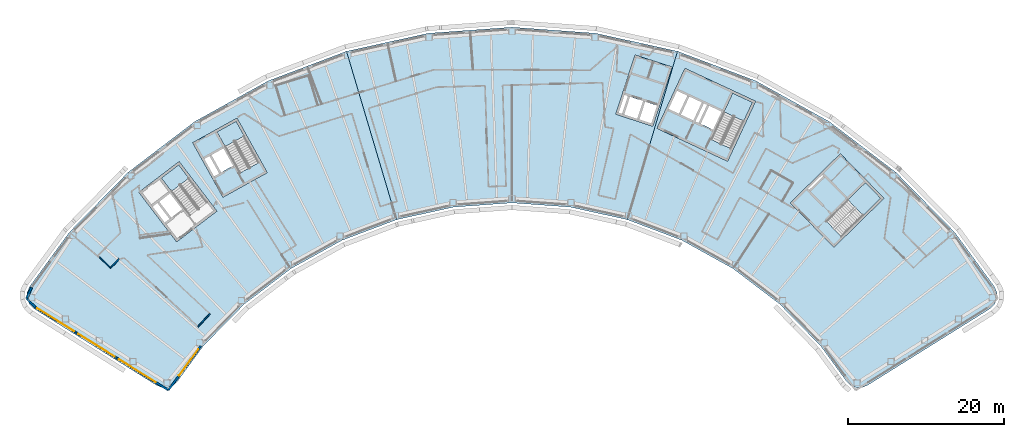
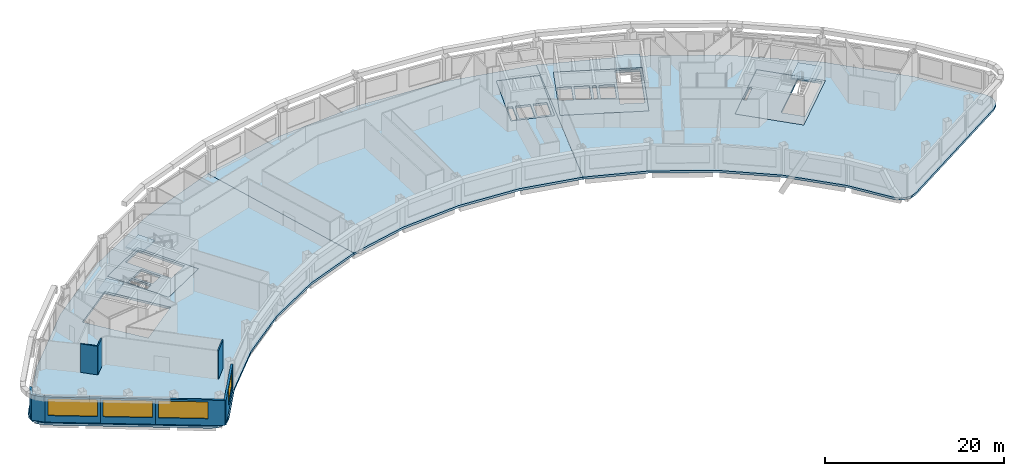
# One storey, part 4 of 13: 11 slabs, 9 walls, 4 windows, 4 openings, 4 elements without a shape of their own.
"""IFC4 building model written with IfcOpenShell, lengths in metres."""

from ifc_helpers import new_model, si_unit, direction, frame, frame_2d, origin, place, context, subcontext, project, spatial, polyline, rectangle, outline, extrude, material, layer, layer_set, type_object, element, fill, aggregate, save


model = new_model("IFC4")

# Units and contexts
model_context = context("Model", 3, precision=1e-05, world=origin(), true_north=direction((0.0, 1.0)))
body_context = subcontext(model_context, "Body", "Model", "MODEL_VIEW")
ifc_project = project(units=[si_unit("LENGTHUNIT", "METRE"), si_unit("AREAUNIT", "SQUARE_METRE"), si_unit("VOLUMEUNIT", "CUBIC_METRE"), si_unit("PLANEANGLEUNIT", "RADIAN"), si_unit("MASSUNIT", "GRAM", prefix="KILO")], contexts=[model_context])

# Site, building, storey
site_placement = place(None, origin())
site = spatial("IfcSite", under=ifc_project, at=site_placement, CompositionType="ELEMENT")
building_placement = place(site_placement, origin())
building = spatial("IfcBuilding", under=site, at=building_placement, Name="Tuul Gate Civic Tower", CompositionType="ELEMENT")
storey_placement = place(building_placement, frame((0.0, 0.0, 290.0)))
storey = spatial("IfcBuildingStorey", under=building, at=storey_placement, Name="Level 65", CompositionType="ELEMENT", Elevation=290.0)

# Slabs
ifc_material_1 = material(Name="Concrete C40/50", Category="concrete")
ifc_layer_1 = layer(ifc_material_1, 0.300048828125)
ifc_layer_set_1 = layer_set([ifc_layer_1], Name="Concrete C40/50")
slab_type_1 = type_object("IfcSlabType", Name="Core floor slab 300", PredefinedType="FLOOR", material=ifc_layer_set_1)
slab_1_placement = place(storey_placement, frame((0.0, 0.0, -0.300048828125)))
element("IfcSlab", 1, at=slab_1_placement, inside=storey, type_object=slab_type_1, Name="FLOOR SLAB", PredefinedType="FLOOR", context=body_context, shape_type="SweptSolid", body=[
    extrude(outline(polyline([(-24.638916015625, -8.846923828125), (-28.51708984375, -1.849853515625), (-34.2021484375, -5.0009765625), (-30.32421875, -11.998046875), (-24.638916015625, -8.846923828125)]), holes=[polyline([(-29.0185546875, -7.958740234375), (-30.254638671875, -5.728515625), (-31.785400390625, -6.576904296875), (-30.54931640625, -8.80712890625), (-29.0185546875, -7.958740234375)]), polyline([(-30.8115234375, -8.95263671875), (-32.047607421875, -6.72216796875), (-32.8349609375, -7.158447265625), (-31.5986328125, -9.388916015625), (-30.8115234375, -8.95263671875)]), polyline([(-25.702392578125, -7.548828125), (-28.14990234375, -8.905517578125), (-31.08203125, -3.615234375), (-28.63427734375, -2.2587890625), (-25.702392578125, -7.548828125)])]), origin(), (0.0, 0.0, 1.0), 0.300048828125),
])
slab_2_placement = place(storey_placement, frame((0.0, 0.0, -0.300048828125)))
element("IfcSlab", 2, at=slab_2_placement, inside=storey, type_object=slab_type_1, Name="FLOOR SLAB", PredefinedType="FLOOR", context=body_context, shape_type="SweptSolid", body=[
    extrude(outline(polyline([(48.117919921875, -18.43310546875), (54.545166015625, -12.1328125), (48.945068359375, -6.419921875), (42.517822265625, -12.719970703125), (48.117919921875, -18.43310546875)]), holes=[polyline([(44.93896484375, -11.046875), (46.760009765625, -9.261962890625), (46.514892578125, -9.011962890625), (44.69384765625, -10.797119140625), (44.93896484375, -11.046875)]), polyline([(49.086181640625, -17.062744140625), (47.12744140625, -15.064208984375), (52.160888671875, -10.130126953125), (54.11962890625, -12.128662109375), (49.086181640625, -17.062744140625)])]), origin(), (0.0, 0.0, 1.0), 0.300048828125),
])
slab_3_placement = place(storey_placement, frame((0.0, 0.0, -0.300048828125)))
element("IfcSlab", 3, at=slab_3_placement, inside=storey, type_object=slab_type_1, Name="FLOOR SLAB", PredefinedType="FLOOR", context=body_context, shape_type="SweptSolid", body=[
    extrude(outline(polyline([(34.465087890625, -7.385986328125), (38.056884765625, 0.31787109375), (28.993896484375, 4.543701171875), (25.40185546875, -3.159912109375), (34.465087890625, -7.385986328125)]), holes=[polyline([(32.60888671875, -3.32080078125), (33.6865234375, -1.009765625), (32.1005859375, -0.27001953125), (31.02294921875, -2.581298828125), (32.60888671875, -3.32080078125)]), polyline([(30.0712890625, -2.137451171875), (31.14892578125, 0.173583984375), (29.562744140625, 0.9130859375), (28.4853515625, -1.39794921875), (30.0712890625, -2.137451171875)]), polyline([(30.751220703125, -2.454345703125), (31.82861328125, -0.143310546875), (31.4208984375, 0.046875), (30.34326171875, -2.264404296875), (30.751220703125, -2.454345703125)]), polyline([(28.21337890625, -1.27099609375), (29.291015625, 1.0400390625), (27.8408203125, 1.71630859375), (26.76318359375, -0.594970703125), (28.21337890625, -1.27099609375)]), polyline([(34.889892578125, -5.7626953125), (32.353759765625, -4.580078125), (35.120849609375, 1.354736328125), (37.6572265625, 0.17236328125), (34.889892578125, -5.7626953125)])]), origin(), (0.0, 0.0, 1.0), 0.300048828125),
])
ifc_material_2 = material(Name="Concrete C40/50", Category="concrete")
ifc_layer_2 = layer(ifc_material_2, 0.300048828125)
ifc_layer_set_2 = layer_set([ifc_layer_2], Name="Concrete C40/50")
slab_type_2 = type_object("IfcSlabType", Name="Core floor slab 300 non-bearing", PredefinedType="FLOOR", material=ifc_layer_set_2)
slab_4_placement = place(storey_placement, frame((0.0, 0.0, -0.300048828125)))
element("IfcSlab", 4, at=slab_4_placement, inside=storey, type_object=slab_type_2, Name="FLOOR SLAB", PredefinedType="FLOOR", context=body_context, shape_type="SweptSolid", body=[
    extrude(outline(polyline([(24.864990234375, -2.888916015625), (27.337890625, 4.71923828125), (22.58251953125, 6.264404296875), (20.109619140625, -1.343994140625), (24.864990234375, -2.888916015625)]), holes=[polyline([(24.67236328125, -2.510986328125), (25.414306640625, -0.228515625), (23.892578125, 0.265869140625), (23.150634765625, -2.0166015625), (24.67236328125, -2.510986328125)]), polyline([(22.865478515625, -1.923828125), (23.607177734375, 0.358642578125), (21.94287109375, 0.8994140625), (21.201171875, -1.383056640625), (22.865478515625, -1.923828125)]), polyline([(20.869384765625, -1.43310546875), (21.65771484375, 0.9921875), (21.0869140625, 1.177490234375), (20.298583984375, -1.24755859375), (20.869384765625, -1.43310546875)])]), origin(), (0.0, 0.0, 1.0), 0.300048828125),
])

# Stair, slab
ifc_material_3 = material(Name="Concrete C40/50", Category="concrete")
stair_type = type_object("IfcStairType", Name="Exit stair", PredefinedType="HALF_TURN_STAIR", material=ifc_material_3)
stair_1_placement = place(storey_placement, origin())
stair_1 = element("IfcStair", 5, at=stair_1_placement, inside=storey, type_object=stair_type, Name="Level 65 ST-1", PredefinedType="HALF_TURN_STAIR")
ifc_material_4 = material(Name="Concrete C40/50", Category="concrete")
ifc_layer_3 = layer(ifc_material_4, 0.199951171875)
ifc_layer_set_3 = layer_set([ifc_layer_3], Name="Concrete C40/50")
slab_type_3 = type_object("IfcSlabType", Name="Exit stair landing", PredefinedType="LANDING", material=ifc_layer_set_3)
slab_5_placement = place(storey_placement, frame((0.0, 0.0, 1.89990234375)))
slab_5 = element("IfcSlab", 6, at=slab_5_placement, type_object=slab_type_3, Name="ST-1 landing 1", PredefinedType="LANDING", context=body_context, shape_type="SweptSolid", body=[
    extrude(outline(polyline([(-34.699462890625, -9.554931640625), (-36.9287109375, -11.252197265625), (-38.23193359375, -9.540283203125), (-36.0029296875, -7.843017578125), (-34.699462890625, -9.554931640625)])), origin(), (0.0, 0.0, 1.0), 0.2001953125),
])
aggregate(stair_1, [slab_5])

stair_2_placement = place(storey_placement, origin())
stair_2 = element("IfcStair", 7, at=stair_2_placement, inside=storey, type_object=stair_type, Name="Level 65 ST-2", PredefinedType="HALF_TURN_STAIR")
slab_6_placement = place(storey_placement, frame((0.0, 0.0, 1.89990234375)))
slab_6 = element("IfcSlab", 8, at=slab_6_placement, type_object=slab_type_3, Name="ST-2 landing 1", PredefinedType="LANDING", context=body_context, shape_type="SweptSolid", body=[
    extrude(outline(polyline([(-27.5908203125, -4.138427734375), (-30.041015625, -5.49658203125), (-31.084228515625, -3.61474609375), (-28.6337890625, -2.256591796875), (-27.5908203125, -4.138427734375)])), origin(), (0.0, 0.0, 1.0), 0.2001953125),
])
aggregate(stair_2, [slab_6])

stair_3_placement = place(storey_placement, origin())
stair_3 = element("IfcStair", 9, at=stair_3_placement, inside=storey, type_object=stair_type, Name="Level 65 ST-3", PredefinedType="HALF_TURN_STAIR")
slab_7_placement = place(storey_placement, frame((0.0, 0.0, 1.89990234375)))
slab_7 = element("IfcSlab", 10, at=slab_7_placement, type_object=slab_type_3, Name="ST-3 landing 1", PredefinedType="LANDING", context=body_context, shape_type="SweptSolid", body=[
    extrude(outline(polyline([(51.871337890625, -14.3349609375), (49.91015625, -12.334228515625), (52.160888671875, -10.1279296875), (54.1220703125, -12.128662109375), (51.871337890625, -14.3349609375)])), origin(), (0.0, 0.0, 1.0), 0.2001953125),
])
aggregate(stair_3, [slab_7])

stair_4_placement = place(storey_placement, origin())
stair_4 = element("IfcStair", 11, at=stair_4_placement, inside=storey, type_object=stair_type, Name="Level 65 ST-4", PredefinedType="HALF_TURN_STAIR")
slab_8_placement = place(storey_placement, frame((0.0, 0.0, 1.89990234375)))
slab_8 = element("IfcSlab", 12, at=slab_8_placement, type_object=slab_type_3, Name="ST-4 landing 1", PredefinedType="LANDING", context=body_context, shape_type="SweptSolid", body=[
    extrude(outline(polyline([(36.538818359375, -2.230224609375), (33.999755859375, -1.046142578125), (35.1201171875, 1.35693359375), (37.659423828125, 0.173095703125), (36.538818359375, -2.230224609375)])), origin(), (0.0, 0.0, 1.0), 0.2001953125),
])
aggregate(stair_4, [slab_8])

# Slabs
ifc_material_5 = material(Name="Concrete C35/45", Category="concrete")
ifc_layer_4 = layer(ifc_material_5, 0.300048828125)
ifc_layer_set_4 = layer_set([ifc_layer_4], Name="Concrete C35/45")
slab_type_4 = type_object("IfcSlabType", Name="STR-FLOOR-SLAB-300", PredefinedType="FLOOR", material=ifc_layer_set_4)
slab_9_placement = place(storey_placement, frame((0.0, 0.0, -0.300048828125)))
element("IfcSlab", 13, at=slab_9_placement, inside=storey, type_object=slab_type_4, Name="Level 65/slab/W", PredefinedType="FLOOR", context=body_context, shape_type="SweptSolid", body=[
    extrude(outline(polyline([(-8.02587890625, -14.883056640625), (-14.4599609375, 6.739013671875), (-24.528076171875, 2.930908203125), (-33.943115234375, -2.287109375), (-42.507080078125, -8.80810546875), (-50.04296875, -16.4951171875), (-55.123046875, -23.451904296875), (-55.4599609375, -24.195068359375), (-55.471923828125, -25.010009765625), (-55.156982421875, -25.762939453125), (-54.568115234375, -26.326904296875), (-38.837890625, -36.156005859375), (-38.14404296875, -36.427001953125), (-37.39892578125, -36.424072265625), (-36.70703125, -36.14892578125), (-36.1630859375, -35.639892578125), (-32.833984375, -31.08203125), (-27.580078125, -25.721923828125), (-21.60888671875, -21.176025390625), (-15.0458984375, -17.5380859375), (-8.02587890625, -14.883056640625)]), holes=[polyline([(-31.10009765625, -13.7890625), (-36.27197265625, -17.72705078125), (-41.117919921875, -11.362060546875), (-35.946044921875, -7.424072265625), (-31.10009765625, -13.7890625)]), polyline([(-24.638916015625, -8.846923828125), (-30.323974609375, -11.998046875), (-34.201904296875, -5.0009765625), (-28.51708984375, -1.85009765625), (-24.638916015625, -8.846923828125)])]), origin(), (0.0, 0.0, 1.0), 0.300048828125),
])
slab_10_placement = place(storey_placement, frame((0.0, 0.0, -0.300048828125)))
element("IfcSlab", 14, at=slab_10_placement, inside=storey, type_object=slab_type_4, Name="Level 65/slab/M", PredefinedType="FLOOR", context=body_context, shape_type="SweptSolid", body=[
    extrude(outline(polyline([(21.60205078125, -14.883056640625), (28.035888671875, 6.739013671875), (17.52392578125, 9.054931640625), (6.7880859375, 9.8330078125), (-3.947998046875, 9.054931640625), (-14.4599609375, 6.739013671875), (-8.02587890625, -14.883056640625), (-0.697021484375, -13.26806640625), (6.7880859375, -12.72607421875), (14.27294921875, -13.26806640625), (21.60205078125, -14.883056640625)]), holes=[polyline([(20.110107421875, -1.343994140625), (22.58203125, 6.264892578125), (27.337890625, 4.719970703125), (24.864990234375, -2.888916015625), (20.110107421875, -1.343994140625)])]), origin(), (0.0, 0.0, 1.0), 0.300048828125),
])
slab_11_placement = place(storey_placement, frame((0.0, 0.0, -0.300048828125)))
element("IfcSlab", 15, at=slab_11_placement, inside=storey, type_object=slab_type_4, Name="Level 65/slab/E", PredefinedType="FLOOR", context=body_context, shape_type="SweptSolid", body=[
    extrude(outline(polyline([(51.719970703125, -36.427001953125), (52.4140625, -36.156005859375), (68.14404296875, -26.326904296875), (68.73388671875, -25.762939453125), (69.048095703125, -25.010009765625), (69.035888671875, -24.195068359375), (68.699951171875, -23.451904296875), (63.618896484375, -16.4951171875), (56.083984375, -8.80810546875), (47.51904296875, -2.287109375), (38.10498046875, 2.930908203125), (28.035888671875, 6.739013671875), (21.60205078125, -14.883056640625), (28.6220703125, -17.5380859375), (35.18603515625, -21.176025390625), (41.156982421875, -25.721923828125), (46.409912109375, -31.08203125), (49.739013671875, -35.639892578125), (50.282958984375, -36.14892578125), (50.97509765625, -36.424072265625), (51.719970703125, -36.427001953125)]), holes=[polyline([(48.117919921875, -18.43310546875), (42.51806640625, -12.719970703125), (48.945068359375, -6.419921875), (54.544921875, -12.133056640625), (48.117919921875, -18.43310546875)]), polyline([(25.402099609375, -3.159912109375), (28.993896484375, 4.5439453125), (38.056884765625, 0.318115234375), (34.465087890625, -7.385986328125), (25.402099609375, -3.159912109375)])]), origin(), (0.0, 0.0, 1.0), 0.300048828125),
])

# Walls
ifc_material_6 = material(Name="Gypsum board partition")
ifc_layer_5 = layer(ifc_material_6, 0.14990234375)
ifc_layer_set_5 = layer_set([ifc_layer_5], Name="Gypsum board partition")
wall_type_1 = type_object("IfcWallType", Name="Corridor wall P150", PredefinedType="PARTITIONING", material=ifc_layer_set_5)
wall_1_placement = place(storey_placement, frame((-46.169921875, -19.697998046875, 0.0), z_axis=(0.0, 0.0, 1.0), x_axis=(0.714144599539, -0.699998207819, 0.0)))
element("IfcWall", 16, at=wall_1_placement, inside=storey, type_object=wall_type_1, Name="p041", PredefinedType="PARTITIONING", context=body_context, shape_type="SweptSolid", body=[
    extrude(rectangle(XDim=1.967529296875, YDim=0.14990234375, at=frame_2d((0.98388671875, 0.0))), origin(), (0.0, 0.0, 1.0), 3.89990234375),
])
wall_2_placement = place(storey_placement, frame((-44.764892578125, -21.0751953125, 0.0), z_axis=(0.0, 0.0, 1.0), x_axis=(0.700230779036, 0.713916561014, 0.0)))
element("IfcWall", 17, at=wall_2_placement, inside=storey, type_object=wall_type_1, Name="p080", PredefinedType="PARTITIONING", context=body_context, shape_type="SweptSolid", body=[
    extrude(rectangle(XDim=1.623291015625, YDim=0.14990234375, at=frame_2d((0.8115234375, 0.0))), origin(), (0.0, 0.0, 1.0), 3.89990234375),
])
wall_3_placement = place(storey_placement, frame((-33.52490234375, -28.612548828125, 0.0), z_axis=(0.0, 0.0, 1.0), x_axis=(0.681989556474, 0.731361911, 0.0)))
element("IfcWall", 18, at=wall_3_placement, inside=storey, type_object=wall_type_1, Name="p084", PredefinedType="PARTITIONING", context=body_context, shape_type="SweptSolid", body=[
    extrude(rectangle(XDim=2.25, YDim=0.14990234375, at=frame_2d((1.125, 0.0))), origin(), (0.0, 0.0, 1.0), 3.89990234375),
])
ifc_material_7 = material(Name="Precast concrete C40/50", Category="concrete")
ifc_layer_6 = layer(ifc_material_7, 0.25)
ifc_layer_set_6 = layer_set([ifc_layer_6], Name="Precast concrete C40/50")
wall_type_2 = type_object("IfcWallType", Name="External wall", PredefinedType="STANDARD", material=ifc_layer_set_6)
wall_4_placement = place(storey_placement, frame((-54.88818359375, -23.591796875, 0.0), z_axis=(0.0, 0.0, 1.0), x_axis=(-0.413556849361, -0.910478298669, 0.0)))
element("IfcWall", 19, at=wall_4_placement, inside=storey, type_object=wall_type_2, Name="External wall", PredefinedType="STANDARD", context=body_context, shape_type="SweptSolid", body=[
    extrude(rectangle(XDim=1.56982421875, YDim=0.25, at=frame_2d((0.784912109375, 0.0))), origin(), (0.0, 0.0, 1.0), 3.449951171875),
])
wall_5_placement = place(storey_placement, frame((-55.537353515625, -25.02099609375, 0.0), z_axis=(0.0, 0.0, 1.0), x_axis=(0.721623018899, -0.692286225917, 0.0)))
element("IfcWall", 20, at=wall_5_placement, inside=storey, type_object=wall_type_2, Name="External wall", PredefinedType="STANDARD", context=body_context, shape_type="SweptSolid", body=[
    extrude(rectangle(XDim=1.57275390625, YDim=0.25, at=frame_2d((0.786376953125, 0.0))), origin(), (0.0, 0.0, 1.0), 3.449951171875),
])

# Wall, opening, window
wall_6_placement = place(storey_placement, frame((-54.4228515625, -26.093994140625, 0.0), z_axis=(0.0, 0.0, 1.0), x_axis=(0.848053758074, -0.529910203164, 0.0)))
wall_6 = element("IfcWall", 21, at=wall_6_placement, inside=storey, type_object=wall_type_2, Name="External wall", PredefinedType="STANDARD", context=body_context, shape_type="SweptSolid", body=[
    extrude(rectangle(XDim=6.182861328125, YDim=0.25, at=frame_2d((3.09130859375, 0.0))), origin(), (0.0, 0.0, 1.0), 3.449951171875),
])
opening_1_placement = place(wall_6_placement, frame((0.31640625, 0.0, 0.89990234375)))
opening_1 = element("IfcOpeningElement", 22, at=opening_1_placement, cuts=wall_6, Name="Opening W24", PredefinedType="OPENING", context=body_context, shape_type="SweptSolid", body=[
    extrude(rectangle(XDim=5.550048828125, YDim=2.300048828125, at=frame_2d((2.77490234375, 1.14990234375))), frame((0.0, 0.135009765625, 0.0), z_axis=(0.0, -1.0, 0.0), x_axis=(1.0, 0.0, 0.0)), (0.0, 0.0, 1.0), 0.27001953125),
])
ifc_material_8 = material(Name="Glass", Category="glass")
window_type_1 = type_object("IfcWindowType", Name="Window W24 5550 x 2300", PartitioningType="SINGLE_PANEL", PredefinedType="WINDOW", material=ifc_material_8)
window_1_placement = place(opening_1_placement, origin())
window_1 = element("IfcWindow", 23, at=window_1_placement, inside=storey, type_object=window_type_1, Name="Window", OverallHeight=2.300048828125, OverallWidth=5.550048828125, PartitioningType="SINGLE_PANEL", PredefinedType="WINDOW", context=body_context, shape_type="SweptSolid", body=[
    extrude(rectangle(XDim=5.550048828125, YDim=2.300048828125, at=frame_2d((2.77490234375, 1.14990234375))), frame((0.0, 0.030029296875, 0.0), z_axis=(0.0, -1.0, 0.0), x_axis=(1.0, 0.0, 0.0)), (0.0, 0.0, 1.0), 0.06005859375),
])
fill(opening_1, window_1)

wall_7_placement = place(storey_placement, frame((-49.179443359375, -29.370361328125, 0.0), z_axis=(0.0, 0.0, 1.0), x_axis=(0.848053758074, -0.529910203164, 0.0)))
wall_7 = element("IfcWall", 24, at=wall_7_placement, inside=storey, type_object=wall_type_2, Name="External wall", PredefinedType="STANDARD", context=body_context, shape_type="SweptSolid", body=[
    extrude(rectangle(XDim=6.182861328125, YDim=0.25, at=frame_2d((3.09130859375, 0.0))), origin(), (0.0, 0.0, 1.0), 3.449951171875),
])
opening_2_placement = place(wall_7_placement, frame((0.31640625, 0.0, 0.89990234375)))
opening_2 = element("IfcOpeningElement", 25, at=opening_2_placement, cuts=wall_7, Name="Opening W24", PredefinedType="OPENING", context=body_context, shape_type="SweptSolid", body=[
    extrude(rectangle(XDim=5.550048828125, YDim=2.300048828125, at=frame_2d((2.77490234375, 1.14990234375))), frame((0.0, 0.135009765625, 0.0), z_axis=(0.0, -1.0, 0.0), x_axis=(1.0, 0.0, 0.0)), (0.0, 0.0, 1.0), 0.27001953125),
])
window_2_placement = place(opening_2_placement, origin())
window_2 = element("IfcWindow", 26, at=window_2_placement, inside=storey, type_object=window_type_1, Name="Window", OverallHeight=2.300048828125, OverallWidth=5.550048828125, PartitioningType="SINGLE_PANEL", PredefinedType="WINDOW", context=body_context, shape_type="SweptSolid", body=[
    extrude(rectangle(XDim=5.550048828125, YDim=2.300048828125, at=frame_2d((2.77490234375, 1.14990234375))), frame((0.0, 0.030029296875, 0.0), z_axis=(0.0, -1.0, 0.0), x_axis=(1.0, 0.0, 0.0)), (0.0, 0.0, 1.0), 0.06005859375),
])
fill(opening_2, window_2)

wall_8_placement = place(storey_placement, frame((-43.93603515625, -32.646728515625, 0.0), z_axis=(0.0, 0.0, 1.0), x_axis=(0.848051131154, -0.529914407191, 0.0)))
wall_8 = element("IfcWall", 27, at=wall_8_placement, inside=storey, type_object=wall_type_2, Name="External wall", PredefinedType="STANDARD", context=body_context, shape_type="SweptSolid", body=[
    extrude(rectangle(XDim=7.788330078125, YDim=0.25, at=frame_2d((3.89404296875, 0.0))), origin(), (0.0, 0.0, 1.0), 3.449951171875),
])
opening_3_placement = place(wall_8_placement, frame((0.31640625, 0.0, 0.89990234375)))
opening_3 = element("IfcOpeningElement", 28, at=opening_3_placement, cuts=wall_8, Name="Opening W24", PredefinedType="OPENING", context=body_context, shape_type="SweptSolid", body=[
    extrude(rectangle(XDim=5.550048828125, YDim=2.300048828125, at=frame_2d((2.77490234375, 1.14990234375))), frame((0.0, 0.135009765625, 0.0), z_axis=(0.0, -1.0, 0.0), x_axis=(1.0, 0.0, 0.0)), (0.0, 0.0, 1.0), 0.27001953125),
])
window_3_placement = place(opening_3_placement, origin())
window_3 = element("IfcWindow", 29, at=window_3_placement, inside=storey, type_object=window_type_1, Name="Window", OverallHeight=2.300048828125, OverallWidth=5.550048828125, PartitioningType="SINGLE_PANEL", PredefinedType="WINDOW", context=body_context, shape_type="SweptSolid", body=[
    extrude(rectangle(XDim=5.550048828125, YDim=2.300048828125, at=frame_2d((2.77490234375, 1.14990234375))), frame((0.0, 0.030029296875, 0.0), z_axis=(0.0, -1.0, 0.0), x_axis=(1.0, 0.0, 0.0)), (0.0, 0.0, 1.0), 0.06005859375),
])
fill(opening_3, window_3)

wall_9_placement = place(storey_placement, frame((-37.3310546875, -36.77392578125, 0.0), z_axis=(0.0, 0.0, 1.0), x_axis=(0.589738966527, 0.807593927267, 0.0)))
wall_9 = element("IfcWall", 30, at=wall_9_placement, inside=storey, type_object=wall_type_2, Name="External wall", PredefinedType="STANDARD", context=body_context, shape_type="SweptSolid", body=[
    extrude(rectangle(XDim=7.034423828125, YDim=0.25, at=frame_2d((3.51708984375, 0.0))), origin(), (0.0, 0.0, 1.0), 3.449951171875),
])
opening_4_placement = place(wall_9_placement, frame((2.356689453125, 0.0, 0.89990234375)))
opening_4 = element("IfcOpeningElement", 31, at=opening_4_placement, cuts=wall_9, Name="Opening W25", PredefinedType="OPENING", context=body_context, shape_type="SweptSolid", body=[
    extrude(rectangle(XDim=4.14990234375, YDim=2.300048828125, at=frame_2d((2.074951171875, 1.14990234375))), frame((0.0, 0.135009765625, 0.0), z_axis=(0.0, -1.0, 0.0), x_axis=(1.0, 0.0, 0.0)), (0.0, 0.0, 1.0), 0.27001953125),
])
ifc_material_9 = material(Name="Glass", Category="glass")
window_type_2 = type_object("IfcWindowType", Name="Window W25 4150 x 2300", PartitioningType="SINGLE_PANEL", PredefinedType="WINDOW", material=ifc_material_9)
window_4_placement = place(opening_4_placement, origin())
window_4 = element("IfcWindow", 32, at=window_4_placement, inside=storey, type_object=window_type_2, Name="Window", OverallHeight=2.300048828125, OverallWidth=4.14990234375, PartitioningType="SINGLE_PANEL", PredefinedType="WINDOW", context=body_context, shape_type="SweptSolid", body=[
    extrude(rectangle(XDim=4.14990234375, YDim=2.300048828125, at=frame_2d((2.074951171875, 1.14990234375))), frame((0.0, 0.030029296875, 0.0), z_axis=(0.0, -1.0, 0.0), x_axis=(1.0, 0.0, 0.0)), (0.0, 0.0, 1.0), 0.06005859375),
])
fill(opening_4, window_4)

save(model, "model.ifc")
